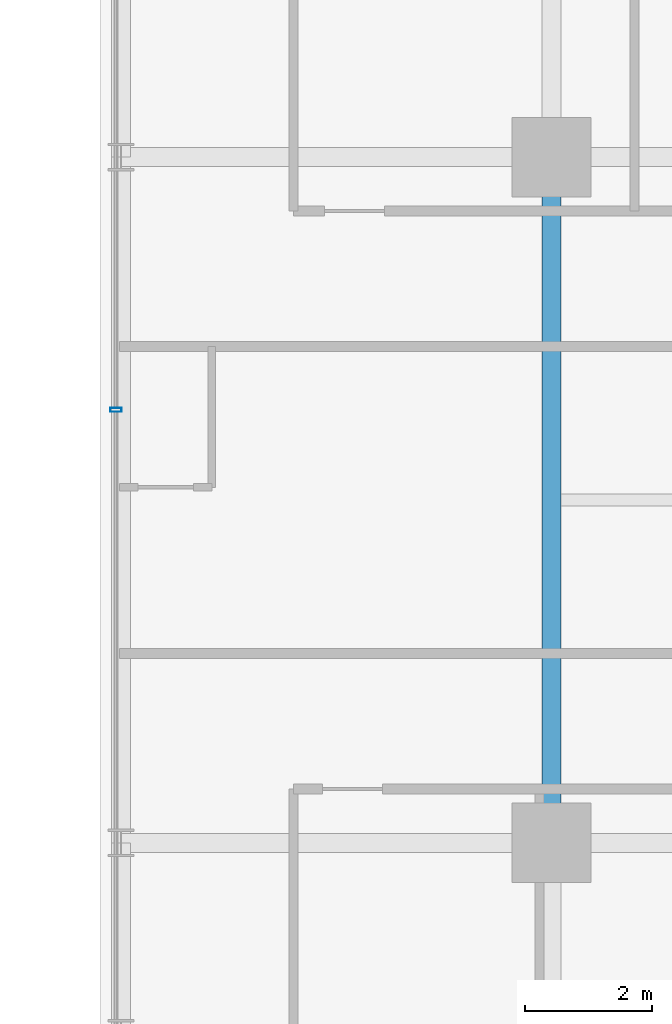
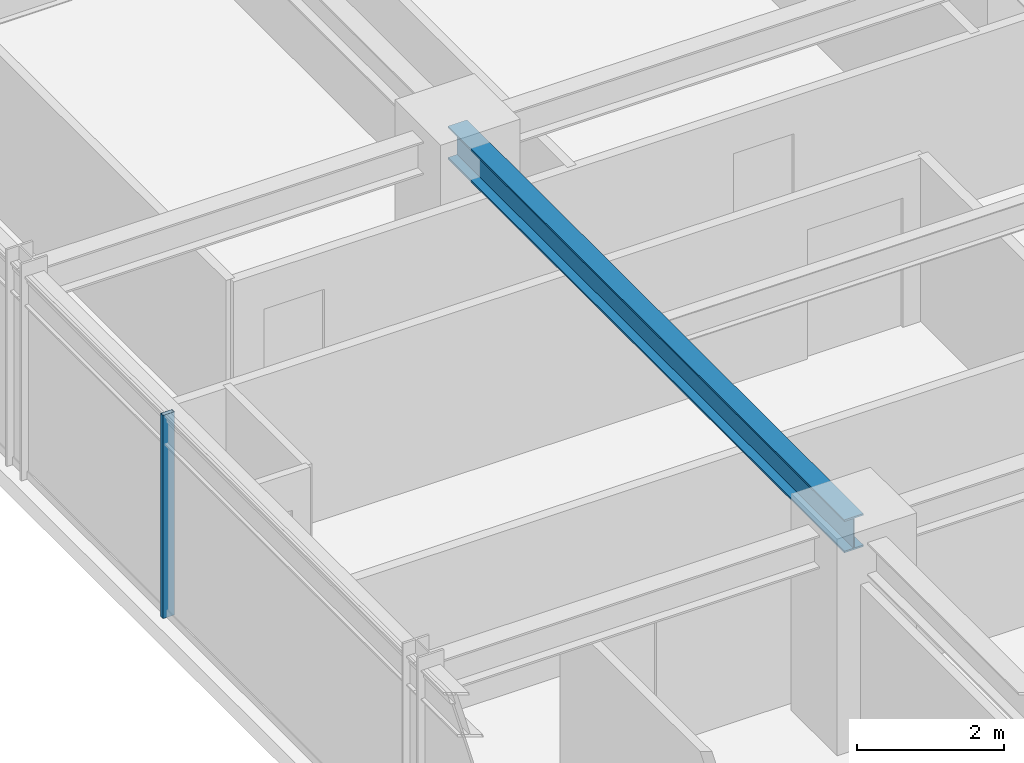
# One storey, part 9 of 32: 1 beam, 1 member, 1 element without a shape of its own.
"""IFC4 building model written with IfcOpenShell, lengths in metres."""

import ifcopenshell
import ifcopenshell.guid

model = None  # the IFC model being written
_history = None  # IfcOwnerHistory: only IFC2X3 demands one
_inside = {}  # id of a spatial element -> (the spatial element, [elements in it])
_under = {}  # id of a project, library or spatial element -> (it, [spatial elements below it])
_declared = {}  # id of a project -> (the project, [libraries it declares])
_typed = {}  # id of a type object -> (the type object, [elements of that type])
_made_of = {}  # id of a material, layer set ... -> (it, [elements and type objects made of it])


def new_model(schema):
    """Start an empty IFC model of exactly this schema.

    Asked for "IFC4X3", IfcOpenShell would pick the latest addendum, in which some entities
    have other attributes; the version numbers below select the first issue.
    IFC2X3 requires an IfcOwnerHistory on every rooted entity: one is made here for all.
    """
    global model, _history
    if schema == "IFC4X3":
        model = ifcopenshell.file(schema_version=(4, 3, 0, 0))
    else:
        model = ifcopenshell.file(schema=schema)
    _inside.clear()
    _under.clear()
    _declared.clear()
    _typed.clear()
    _made_of.clear()
    _history = None
    if model.schema == "IFC2X3":
        org = make("IfcOrganization", Name="unknown")
        user = make(
            "IfcPersonAndOrganization",
            ThePerson=make("IfcPerson", FamilyName="unknown"),
            TheOrganization=org,
        )
        app = make(
            "IfcApplication",
            ApplicationDeveloper=org,
            Version="unknown",
            ApplicationFullName="unknown",
            ApplicationIdentifier="unknown",
        )
        _history = make(
            "IfcOwnerHistory",
            OwningUser=user,
            OwningApplication=app,
            ChangeAction="ADDED",
            CreationDate=0,
        )
    return model


def make(cls, **values):
    """One entity of the class cls with the attributes given. An attribute that is None is left unset."""
    return model.create_entity(
        cls, **{name: value for name, value in values.items() if value is not None}
    )


def rooted(cls, **values):
    """An entity with a GlobalId (a new one), such as an element, a storey or a relation."""
    return make(cls, GlobalId=ifcopenshell.guid.new(), OwnerHistory=_history, **values)


def si_unit(unit_type, name, prefix=None):
    """IfcSIUnit, for example si_unit("LENGTHUNIT", "METRE", prefix="MILLI")."""
    return make("IfcSIUnit", UnitType=unit_type, Prefix=prefix, Name=name)


def assignment(units):
    """IfcUnitAssignment: the units of a project."""
    return None if units is None else make("IfcUnitAssignment", Units=units)


def point(xyz):
    """IfcCartesianPoint."""
    return None if xyz is None else make("IfcCartesianPoint", Coordinates=xyz)


def direction(xyz):
    """IfcDirection."""
    return None if xyz is None else make("IfcDirection", DirectionRatios=xyz)


def frame(location, z_axis=None, x_axis=None):
    """IfcAxis2Placement3D, a coordinate frame: its origin and axes. An axis left out is left unset."""
    return make(
        "IfcAxis2Placement3D",
        Location=point(location),
        Axis=direction(z_axis),
        RefDirection=direction(x_axis),
    )


def frame_2d(location, x_axis=None):
    """IfcAxis2Placement2D, a coordinate frame in the plane: its origin and x axis."""
    return make(
        "IfcAxis2Placement2D", Location=point(location), RefDirection=direction(x_axis)
    )


def origin():
    """The frame at (0, 0, 0) with its axes left unset."""
    return frame((0.0, 0.0, 0.0))


def origin_2d():
    """The frame at (0, 0) in the plane with its x axis left unset."""
    return frame_2d((0.0, 0.0))


def place(relative_to, where):
    """IfcLocalPlacement: puts the frame where relative to a parent placement (None: the world)."""
    return make(
        "IfcLocalPlacement", PlacementRelTo=relative_to, RelativePlacement=where
    )


def context(
    kind, dimensions, precision=None, world=None, true_north=None, identifier=None
):
    """IfcGeometricRepresentationContext, for example the 3D "Model" context."""
    return make(
        "IfcGeometricRepresentationContext",
        ContextIdentifier=identifier,
        ContextType=kind,
        CoordinateSpaceDimension=dimensions,
        Precision=precision,
        WorldCoordinateSystem=world,
        TrueNorth=true_north,
    )


def subcontext(parent, identifier, kind, view, scale=None):
    """IfcGeometricRepresentationSubContext, for example "Body" below "Model"."""
    return make(
        "IfcGeometricRepresentationSubContext",
        ContextIdentifier=identifier,
        ContextType=kind,
        ParentContext=parent,
        TargetScale=scale,
        TargetView=view,
    )


def project(units=None, contexts=None):
    """IfcProject with its units and contexts."""
    return rooted(
        "IfcProject",
        Name="project",
        RepresentationContexts=contexts,
        UnitsInContext=assignment(units),
    )


def spatial(cls, under=None, at=None, **own):
    """A site, building, storey or space (cls), placed at a placement, below another one or the project."""
    s = rooted(cls, ObjectPlacement=at, **own)
    if under is not None:
        _under.setdefault(under.id(), (under, []))[1].append(s)
    return s


def profile(cls, at=None, kind="AREA", **sizes):
    """A parametric profile (cls). Its sizes go by their IFC names, for example OverallWidth=200.0."""
    return make(cls, ProfileType=kind, Position=at, **sizes)


def hollow_rectangle(**sizes):
    """IfcRectangleHollowProfileDef."""
    return profile("IfcRectangleHollowProfileDef", **sizes)


def i_section(**sizes):
    """IfcIShapeProfileDef."""
    return profile("IfcIShapeProfileDef", **sizes)


def extrude(swept, where, along, depth):
    """IfcExtrudedAreaSolid: the profile swept, set in the frame where, extruded along a direction by depth."""
    return make(
        "IfcExtrudedAreaSolid",
        SweptArea=swept,
        Position=where,
        ExtrudedDirection=direction(along),
        Depth=depth,
    )


def shape(context_of_items, identifier, shape_type, items):
    """IfcShapeRepresentation: the items that make up one representation, for example the "Body"."""
    return make(
        "IfcShapeRepresentation",
        ContextOfItems=context_of_items,
        RepresentationIdentifier=identifier,
        RepresentationType=shape_type,
        Items=items,
    )


def source(mapping_origin, context_of_items, identifier, shape_type, items):
    """IfcRepresentationMap: a shape defined once, which mapped items show again and again."""
    return make(
        "IfcRepresentationMap",
        MappingOrigin=mapping_origin,
        MappedRepresentation=shape(context_of_items, identifier, shape_type, items),
    )


def transform(
    local_origin,
    x_axis=None,
    y_axis=None,
    z_axis=None,
    scale=None,
    scale2=None,
    scale3=None,
    uniform=True,
):
    """IfcCartesianTransformationOperator3D, or its non-uniform kind. x_axis, y_axis, z_axis: its Axis1, 2, 3."""
    if uniform:
        return make(
            "IfcCartesianTransformationOperator3D",
            Axis1=direction(x_axis),
            Axis2=direction(y_axis),
            LocalOrigin=point(local_origin),
            Scale=scale,
            Axis3=direction(z_axis),
        )
    return make(
        "IfcCartesianTransformationOperator3DnonUniform",
        Axis1=direction(x_axis),
        Axis2=direction(y_axis),
        LocalOrigin=point(local_origin),
        Scale=scale,
        Axis3=direction(z_axis),
        Scale2=scale2,
        Scale3=scale3,
    )


def mapped(mapping_source, mapping_target):
    """IfcMappedItem: shows the shape of a source again, moved by a transform."""
    return make(
        "IfcMappedItem", MappingSource=mapping_source, MappingTarget=mapping_target
    )


def material(Name=None, Category=None):
    """IfcMaterial."""
    return make("IfcMaterial", Name=Name, Category=Category)


def material_profile(
    of_material, cross_section, Name=None, Category=None, Priority=None
):
    """IfcMaterialProfile: a cross section and its material."""
    return make(
        "IfcMaterialProfile",
        Name=Name,
        Material=of_material,
        Profile=cross_section,
        Priority=Priority,
        Category=Category,
    )


def profile_set(profiles, Name=None, composite=None):
    """IfcMaterialProfileSet."""
    return make(
        "IfcMaterialProfileSet",
        Name=Name,
        MaterialProfiles=profiles,
        CompositeProfile=composite,
    )


def made_of(thing, what):
    """Note that an element or type object is made of a material, layer set ...; save() writes the relation."""
    if what is not None:
        _made_of.setdefault(what.id(), (what, []))[1].append(thing)
    return thing


def type_object(cls, material=None, **own):
    """A type object (cls), such as IfcWallType, which elements share."""
    return made_of(rooted(cls, **own), material)


def element(
    cls,
    number,
    at=None,
    inside=None,
    cuts=None,
    type_object=None,
    material=None,
    context=None,
    identifier="Body",
    shape_type=None,
    held_by="IfcProductDefinitionShape",
    body=None,
    shapes=None,
    **own,
):
    """One element of the class cls, such as IfcWall. Its Tag is "e" and its number.

    at: its placement. inside: the storey or other place that contains it. cuts: it is an
    opening in that element (IfcRelVoidsElement). A single representation is given by context,
    identifier, shape_type and body (its items); several are given by shapes. held_by: the class
    of the entity that holds the representations. save() writes the other relations.
    """
    e = rooted(cls, Tag="e%d" % number, ObjectPlacement=at, **own)
    if body is not None:
        shapes = [shape(context, identifier, shape_type, body)]
    if shapes is not None:
        e.Representation = make(held_by, Representations=shapes)
    if inside is not None:
        _inside.setdefault(inside.id(), (inside, []))[1].append(e)
    if cuts is not None:
        rooted(
            "IfcRelVoidsElement", RelatingBuildingElement=cuts, RelatedOpeningElement=e
        )
    if type_object is not None:
        _typed.setdefault(type_object.id(), (type_object, []))[1].append(e)
    return made_of(e, material)


def aggregate(whole, parts):
    """IfcRelAggregates: a whole, such as a stair, and the parts it consists of."""
    return rooted("IfcRelAggregates", RelatingObject=whole, RelatedObjects=parts)


def save(model, path):
    """Write the relations noted so far, then the file.

    IfcRelAggregates (storeys below a building ...), IfcRelContainedInSpatialStructure (elements
    in a storey), IfcRelDefinesByType, IfcRelAssociatesMaterial and IfcRelDeclares: one each for
    every whole, place, type object, material and project.
    """
    for whole, parts in _under.values():
        aggregate(whole, parts)
    for where, things in _inside.values():
        rooted(
            "IfcRelContainedInSpatialStructure",
            RelatedElements=things,
            RelatingStructure=where,
        )
    for kind, things in _typed.values():
        rooted("IfcRelDefinesByType", RelatedObjects=things, RelatingType=kind)
    for what, things in _made_of.values():
        rooted("IfcRelAssociatesMaterial", RelatedObjects=things, RelatingMaterial=what)
    for by, libraries in _declared.values():
        rooted("IfcRelDeclares", RelatingContext=by, RelatedDefinitions=libraries)
    model.write(path)


model = new_model("IFC4")

# Units and contexts
model_context = context("Model", 3, precision=1e-05, world=origin(), true_north=direction((0.0, 1.0)))
body_context = subcontext(model_context, "Body", "Model", "MODEL_VIEW")
ifc_project = project(units=[si_unit("LENGTHUNIT", "METRE"), si_unit("AREAUNIT", "SQUARE_METRE"), si_unit("VOLUMEUNIT", "CUBIC_METRE"), si_unit("PLANEANGLEUNIT", "RADIAN"), si_unit("MASSUNIT", "GRAM", prefix="KILO")], contexts=[model_context])

# Site, building, storey
site_placement = place(None, origin())
site = spatial("IfcSite", under=ifc_project, at=site_placement, CompositionType="ELEMENT")
building_placement = place(site_placement, origin())
building = spatial("IfcBuilding", under=site, at=building_placement, Name="Nahalor Promenade Grand Hotel", CompositionType="ELEMENT")
storey_placement = place(building_placement, frame((0.0, 0.0, 124.800048828125)))
storey = spatial("IfcBuildingStorey", under=building, at=storey_placement, Name="L31", CompositionType="ELEMENT", Elevation=124.800048828125)

# Beam
ifc_material_1 = material(Name="Steel S355JR", Category="steel")
ifc_material_profile_1 = material_profile(ifc_material_1, i_section(OverallWidth=0.3, OverallDepth=0.55, WebThickness=0.015, FlangeThickness=0.029, at=origin_2d()), Name="HEB 550")
ifc_profile_set_1 = profile_set([ifc_material_profile_1], Name="Steel S355JR")
beam_type = type_object("IfcBeamType", Name="Beam-Girder-HEB550", PredefinedType="BEAM", material=ifc_profile_set_1)
shared_shape_1 = source(origin(), body_context, "Body", "SweptSolid", [
    extrude(i_section(OverallWidth=0.3, OverallDepth=0.55, WebThickness=0.015, FlangeThickness=0.029, at=origin_2d()), origin(), (0.0, 0.0, 1.0), 10.7998046875),
])
beam_placement = place(storey_placement, frame((-17.0, -5.39990234375, 3.10498046875), z_axis=(0.0, 1.0, 0.0), x_axis=(-1.0, 0.0, 0.0)))
element("IfcBeam", 1, at=beam_placement, inside=storey, type_object=beam_type, Name="BM-L31-GY-0-2", PredefinedType="BEAM", context=body_context, shape_type="MappedRepresentation", body=[
    mapped(shared_shape_1, transform((0.0, 0.0, 0.0), scale=1.0)),
])

# Curtain wall, member
ifc_material_2 = material(Name="Anodised Bronze Aluminium EN AW-6063 T6", Category="aluminium")
curtain_wall_type = type_object("IfcCurtainWallType", Name="CW2 Typical Hotel Flush Bronze Unitised Curtain Wall", PredefinedType="USERDEFINED", material=ifc_material_2)
curtain_wall_placement = place(storey_placement, origin())
curtain_wall = element("IfcCurtainWall", 2, at=curtain_wall_placement, inside=storey, type_object=curtain_wall_type, Name="L31 Curtain Wall CW-L31-W-3", ObjectType="UNITISED_CURTAIN_WALL", PredefinedType="USERDEFINED")
ifc_material_profile_2 = material_profile(ifc_material_2, hollow_rectangle(XDim=0.065, YDim=0.18, WallThickness=0.004, at=origin_2d()), Name="CWM 65x180x4")
ifc_profile_set_2 = profile_set([ifc_material_profile_2], Name="Anodised Bronze Aluminium EN AW-6063 T6")
member_type = type_object("IfcMemberType", Name="CWM2 Typical Bronze Mullion 65x180", PredefinedType="MULLION", material=ifc_profile_set_2)
shared_shape_2 = source(origin(), body_context, "Body", "SweptSolid", [
    extrude(hollow_rectangle(XDim=0.065, YDim=0.18, WallThickness=0.004, at=origin_2d()), origin(), (0.0, 0.0, 1.0), 3.3798828125),
])
member_placement = place(storey_placement, frame((-23.860107421875, 1.419921875, 0.0), z_axis=(0.0, 0.0, 1.0), x_axis=(0.0, 1.0, 0.0)))
member = element("IfcMember", 3, at=member_placement, type_object=member_type, Name="CW-L31-W-3 Mullion 1", PredefinedType="MULLION", context=body_context, shape_type="MappedRepresentation", body=[
    mapped(shared_shape_2, transform((0.0, 0.0, 0.0), scale=1.0)),
])
aggregate(curtain_wall, [member])

save(model, "model.ifc")
